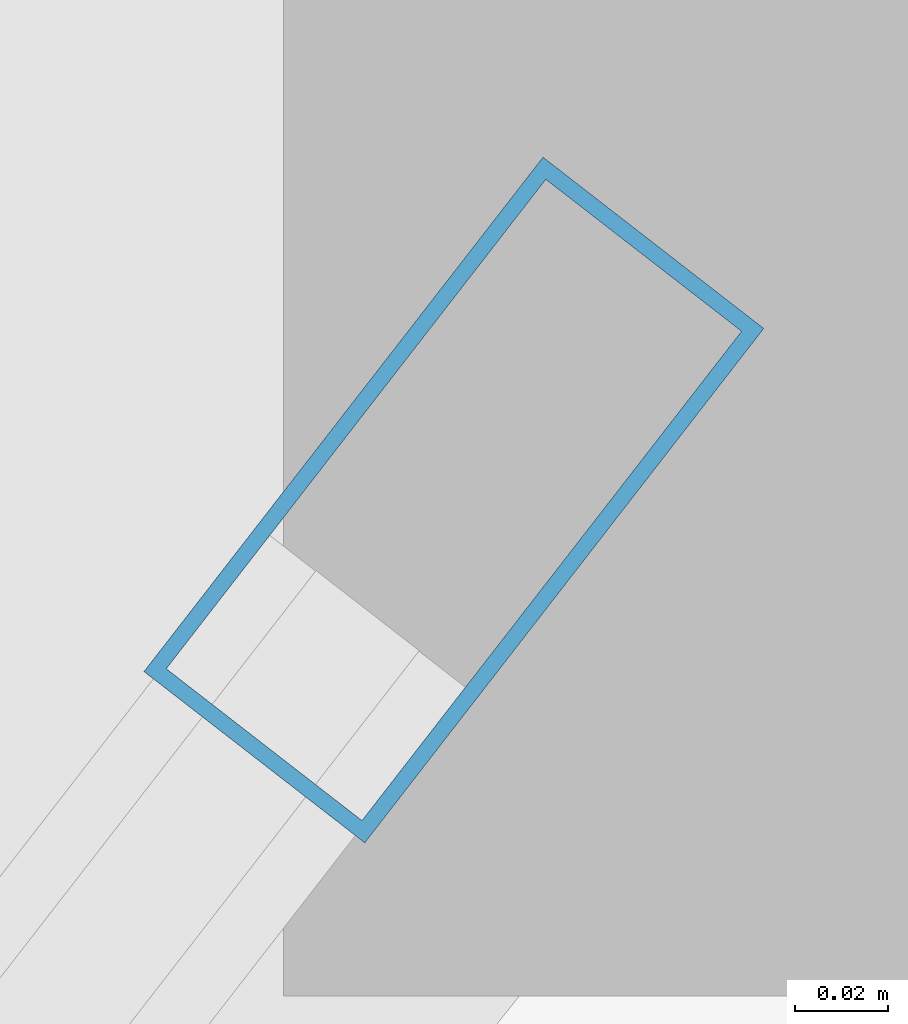
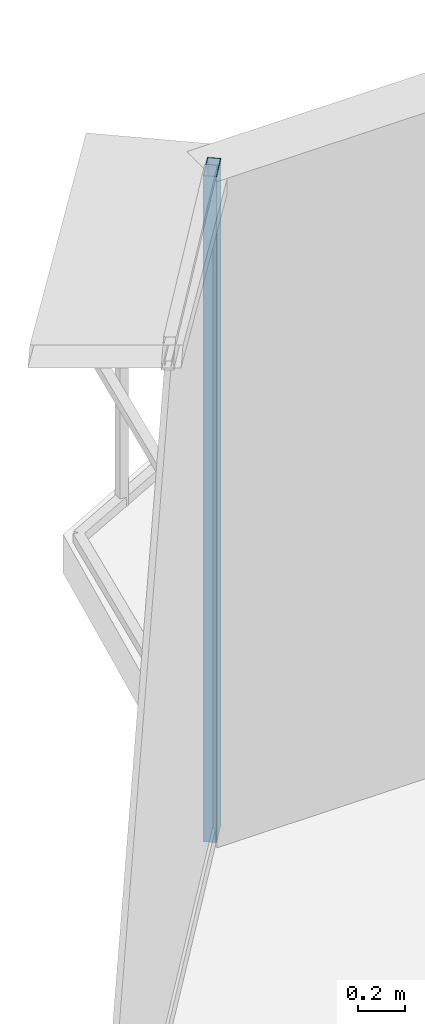
# One storey, part 23 of 34: 1 member, 1 element without a shape of its own.
"""IFC4 building model written with IfcOpenShell, lengths in metres."""

from ifc_helpers import new_model, si_unit, direction, frame, origin, origin_2d, place, context, subcontext, project, spatial, hollow_rectangle, extrude, source, transform, mapped, material, layer, layer_set, material_profile, profile_set, type_object, element, aggregate, save


model = new_model("IFC4")

# Units and contexts
model_context = context("Model", 3, precision=1e-05, world=origin(), true_north=direction((0.0, 1.0)))
body_context = subcontext(model_context, "Body", "Model", "MODEL_VIEW")
ifc_project = project(units=[si_unit("LENGTHUNIT", "METRE"), si_unit("AREAUNIT", "SQUARE_METRE"), si_unit("VOLUMEUNIT", "CUBIC_METRE"), si_unit("PLANEANGLEUNIT", "RADIAN"), si_unit("MASSUNIT", "GRAM", prefix="KILO"), si_unit("THERMODYNAMICTEMPERATUREUNIT", "KELVIN"), si_unit("POWERUNIT", "WATT")], contexts=[model_context])

# Site, building, storey
site_placement = place(None, origin())
site = spatial("IfcSite", under=ifc_project, at=site_placement, CompositionType="ELEMENT")
building_placement = place(site_placement, origin())
building = spatial("IfcBuilding", under=site, at=building_placement, Name="Yunzhuo Pagoda Commons", CompositionType="ELEMENT")
storey_placement = place(building_placement, frame((0.0, 0.0, 333.010009765625)))
storey = spatial("IfcBuildingStorey", under=building, at=storey_placement, Name="L83", CompositionType="ELEMENT", Elevation=333.010009765625)

# Curtain wall, member
ifc_material = material(Name="Anodized aluminium 6063-T6", Category="aluminium")
ifc_layer = layer(ifc_material, 0.139892578125)
ifc_layer_set = layer_set([ifc_layer], Name="Anodized aluminium 6063-T6")
curtain_wall_type = type_object("IfcCurtainWallType", Name="CW-HI High-Zone Ribbon Curtain Wall", PredefinedType="NOTDEFINED", material=ifc_layer_set)
curtain_wall_placement = place(storey_placement, origin())
curtain_wall = element("IfcCurtainWall", 1, at=curtain_wall_placement, inside=storey, type_object=curtain_wall_type, Name="L83 curtain wall CW-L83-F3B1", PredefinedType="NOTDEFINED")
ifc_material_profile = material_profile(ifc_material, hollow_rectangle(XDim=0.06005859375, YDim=0.139892578125, WallThickness=0.00341796875, at=origin_2d()), Name="Anodized aluminium 6063-T6")
ifc_profile_set = profile_set([ifc_material_profile], Name="Anodized aluminium 6063-T6")
member_type = type_object("IfcMemberType", Name="CW-HI-M Mullion RHS 140x60x3.5", PredefinedType="MULLION", material=ifc_profile_set)
shared_shape = source(origin(), body_context, "Body", "SweptSolid", [
    extrude(hollow_rectangle(XDim=0.06005859375, YDim=0.139892578125, WallThickness=0.00341796875, at=origin_2d()), origin(), (0.0, 0.0, 1.0), 3.489990234375),
])
member_placement = place(storey_placement, frame((44.793212890625, 72.759765625, 0.0), z_axis=(0.0, 0.0, 1.0), x_axis=(0.790146906982, -0.612917502921, 0.0)))
member = element("IfcMember", 2, at=member_placement, type_object=member_type, Name="CW mullion 1", PredefinedType="MULLION", context=body_context, shape_type="MappedRepresentation", body=[
    mapped(shared_shape, transform((0.0, 0.0, 0.0), scale=1.0)),
])
aggregate(curtain_wall, [member])

save(model, "model.ifc")
